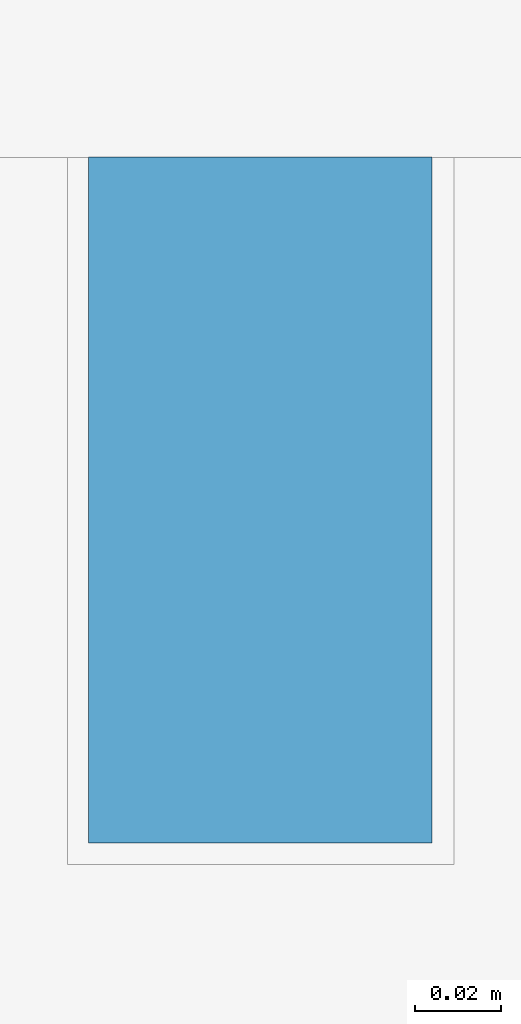
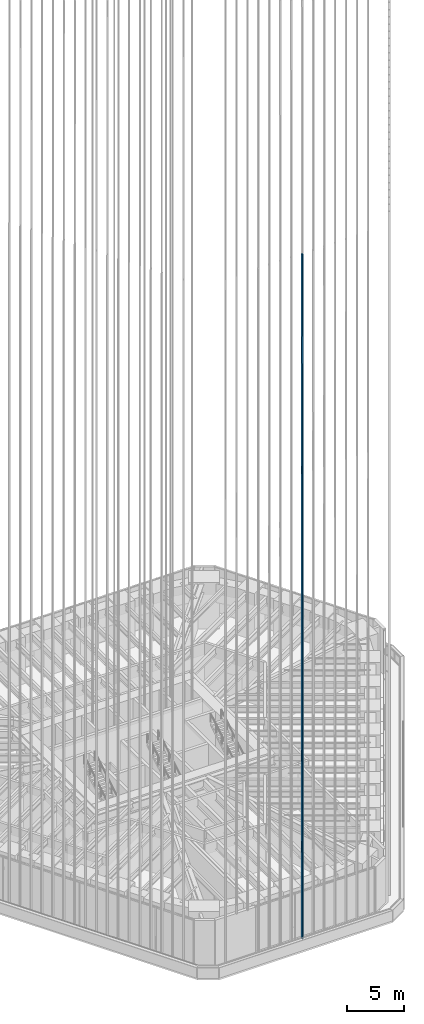
# One storey, part 37 of 228: 1 member, 1 element without a shape of its own.
"""IFC4 building model written with IfcOpenShell, lengths in metres."""

from ifc_helpers import new_model, si_unit, direction, frame, origin, origin_2d, place, context, subcontext, project, spatial, rectangle, extrude, material, material_profile, profile_set, type_object, element, aggregate, save


model = new_model("IFC4")

# Units and contexts
model_context = context("Model", 3, precision=1e-05, world=origin(), true_north=direction((0.0, 1.0)))
body_context = subcontext(model_context, "Body", "Model", "MODEL_VIEW")
ifc_project = project(units=[si_unit("LENGTHUNIT", "METRE"), si_unit("AREAUNIT", "SQUARE_METRE"), si_unit("VOLUMEUNIT", "CUBIC_METRE"), si_unit("PLANEANGLEUNIT", "RADIAN"), si_unit("MASSUNIT", "GRAM", prefix="KILO")], contexts=[model_context])

# Site, building, storey
site_placement = place(None, origin())
site = spatial("IfcSite", under=ifc_project, at=site_placement, CompositionType="ELEMENT")
building_placement = place(site_placement, origin())
building = spatial("IfcBuilding", under=site, at=building_placement, Name="Sandreach Pilgrim Tower", CompositionType="ELEMENT")
storey_placement = place(building_placement, frame((0.0, 0.0, 178.199951171875)))
storey = spatial("IfcBuildingStorey", under=building, at=storey_placement, Name="L44", CompositionType="ELEMENT", Elevation=178.199951171875)

# Curtain wall, member
ifc_material_1 = material(Name="Aluminium framed curtain wall", Category="aluminium")
curtain_wall_type = type_object("IfcCurtainWallType", Name="Upper hotel tower curtain wall", PredefinedType="NOTDEFINED", material=ifc_material_1)
curtain_wall_placement = place(storey_placement, origin())
curtain_wall = element("IfcCurtainWall", 1, at=curtain_wall_placement, inside=storey, type_object=curtain_wall_type, Name="CW-3 L44 SA", PredefinedType="NOTDEFINED")
ifc_material_2 = material(Name="Extruded terracotta on aluminium core", Category="masonry")
ifc_material_profile = material_profile(ifc_material_2, rectangle(XDim=0.080078125, YDim=0.159912109375, at=origin_2d()), Name="TBS 80X160")
ifc_profile_set = profile_set([ifc_material_profile], Name="Extruded terracotta on aluminium core")
member_type = type_object("IfcMemberType", Name="Terracotta baguette south", PredefinedType="USERDEFINED", material=ifc_profile_set)
member_placement = place(storey_placement, frame((0.554443359375, -26.905029296875, 0.0), z_axis=(0.0, 0.0, 1.0), x_axis=(-1.0, 0.0, 0.0)))
member = element("IfcMember", 2, at=member_placement, type_object=member_type, Name="Baguette Z3 S07", ObjectType="BAGUETTE", PredefinedType="USERDEFINED", context=body_context, shape_type="SweptSolid", body=[
    extrude(rectangle(XDim=0.080078125, YDim=0.159912109375, at=origin_2d()), origin(), (0.0, 0.0, 1.0), 73.239990234375),
])
aggregate(curtain_wall, [member])

save(model, "model.ifc")
